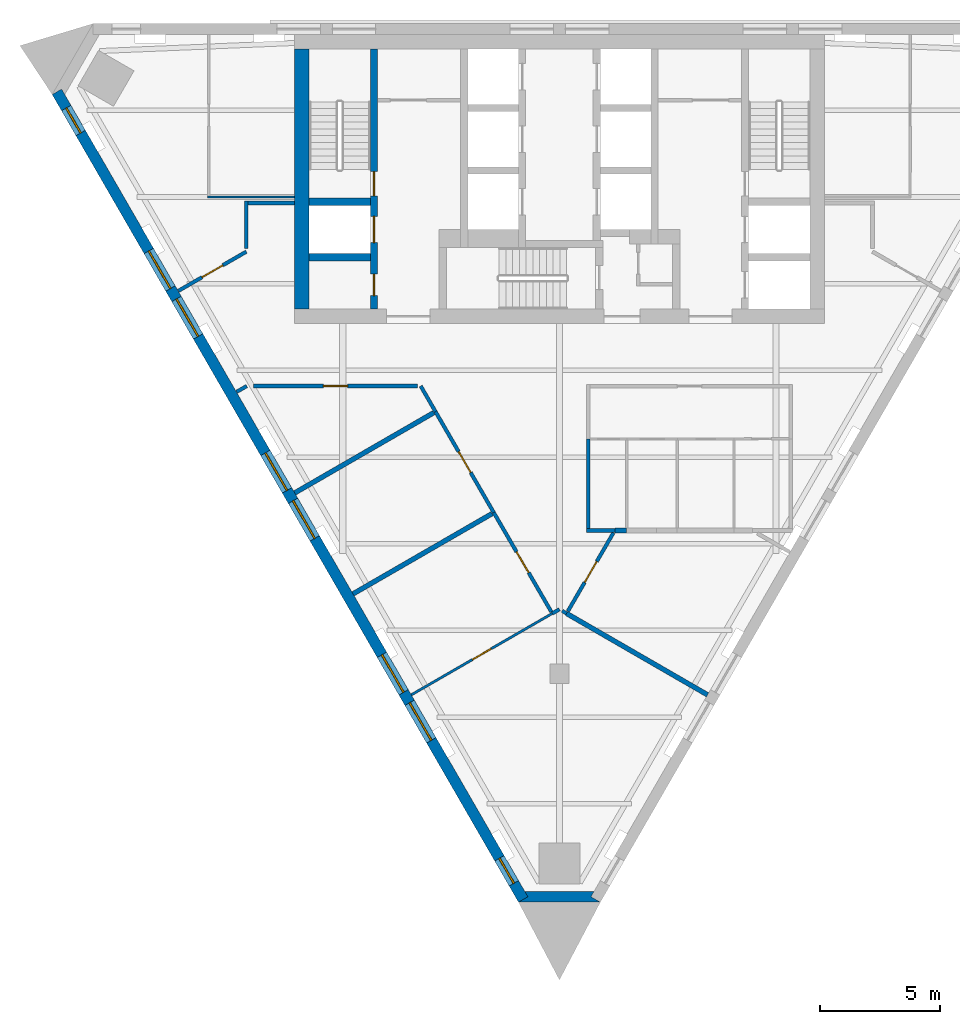
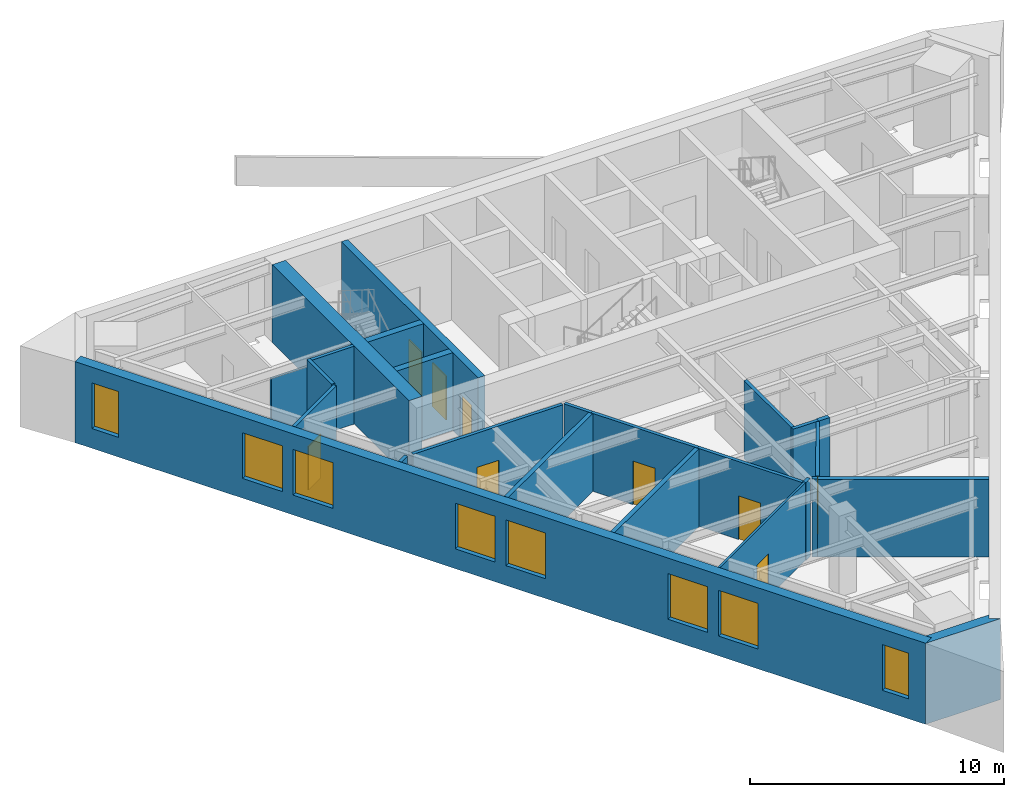
# One storey, part 2 of 6: 25 walls, 9 doors, 8 windows, 17 openings.
"""IFC4 building model written with IfcOpenShell, lengths in metres."""

from ifc_helpers import new_model, si_unit, direction, frame, frame_2d, origin, place, context, subcontext, project, spatial, polyline, rectangle, outline, extrude, material, layer, layer_set, type_object, element, fill, save


model = new_model("IFC4")

# Units and contexts
model_context = context("Model", 3, precision=1e-05, world=origin(), true_north=direction((0.0, 1.0)))
body_context = subcontext(model_context, "Body", "Model", "MODEL_VIEW")
ifc_project = project(units=[si_unit("LENGTHUNIT", "METRE"), si_unit("AREAUNIT", "SQUARE_METRE"), si_unit("VOLUMEUNIT", "CUBIC_METRE"), si_unit("PLANEANGLEUNIT", "RADIAN"), si_unit("MASSUNIT", "GRAM", prefix="KILO")], contexts=[model_context])

# Site, building, storey
site_placement = place(None, origin())
site = spatial("IfcSite", under=ifc_project, at=site_placement, CompositionType="ELEMENT")
building_placement = place(site_placement, origin())
building = spatial("IfcBuilding", under=site, at=building_placement, Name="Aloe Facet Convention Tower", CompositionType="ELEMENT")
storey_placement = place(building_placement, frame((0.0, 0.0, 184.10009765625)))
storey = spatial("IfcBuildingStorey", under=building, at=storey_placement, Name="L46", CompositionType="ELEMENT", Elevation=184.10009765625)

# Walls
ifc_material_1 = material(Name="Concrete C50/60", Category="concrete")
ifc_layer_1 = layer(ifc_material_1, 0.300048828125)
ifc_layer_set_1 = layer_set([ifc_layer_1], Name="CR-W-RC300-C5060")
wall_type_1 = type_object("IfcWallType", Name="CR-W-RC300-C5060", PredefinedType="SOLIDWALL", material=ifc_layer_set_1)
for number, where, z_axis, x_axis, name in (
    (1, (69.60009765625, 127.60009765625, 0.0), (0.0, 0.0, 1.0), (1.0, 0.0, 0.0), "Core wall L46-004"),
    (2, (69.60009765625, 125.300048828125, 0.0), (0.0, 0.0, 1.0), (1.0, 0.0, 0.0), "Core wall L46-005"),
):
    element("IfcWall", number, at=place(storey_placement, frame(where, z_axis=z_axis, x_axis=x_axis)), inside=storey, type_object=wall_type_1, Name=name, PredefinedType="SOLIDWALL", context=body_context, shape_type="SweptSolid", body=[
        extrude(rectangle(XDim=2.5498046875, YDim=0.300048828125, at=frame_2d((1.27490234375, 0.0))), origin(), (0.0, 0.0, 1.0), 3.75),
    ])

# Wall, openings, doors
wall_1_placement = place(storey_placement, frame((72.300048828125, 133.949951171875, 0.0), z_axis=(0.0, 0.0, 1.0), x_axis=(0.0, -1.0, 0.0)))
wall_1 = element("IfcWall", 3, at=wall_1_placement, inside=storey, type_object=wall_type_1, Name="Core wall L46-006", PredefinedType="SOLIDWALL", context=body_context, shape_type="SweptSolid", body=[
    extrude(rectangle(XDim=10.800048828125, YDim=0.300048828125, at=frame_2d((5.39990234375, 0.0))), origin(), (0.0, 0.0, 1.0), 3.75),
])
opening_1_placement = place(wall_1_placement, frame((6.949951171875, 0.0, 0.0)))
opening_1 = element("IfcOpeningElement", 4, at=opening_1_placement, cuts=wall_1, Name="Opening LD-FF1-L46", PredefinedType="OPENING", context=body_context, shape_type="SweptSolid", body=[
    extrude(rectangle(XDim=1.10009765625, YDim=2.10009765625, at=frame_2d((0.550048828125, 1.050048828125))), frame((0.0, 0.16015625, 0.0), z_axis=(0.0, -1.0, 0.0), x_axis=(1.0, 0.0, 0.0)), (0.0, 0.0, 1.0), 0.320068359375),
])
opening_2_placement = place(wall_1_placement, frame((9.35009765625, 0.0, 0.0)))
opening_2 = element("IfcOpeningElement", 5, at=opening_2_placement, cuts=wall_1, Name="Opening L46-CD15", PredefinedType="OPENING", context=body_context, shape_type="SweptSolid", body=[
    extrude(rectangle(XDim=0.89990234375, YDim=2.10009765625, at=frame_2d((0.449951171875, 1.050048828125))), frame((0.0, 0.16015625, 0.0), z_axis=(0.0, -1.0, 0.0), x_axis=(1.0, 0.0, 0.0)), (0.0, 0.0, 1.0), 0.320068359375),
])
opening_3_placement = place(wall_1_placement, frame((5.10009765625, 0.0, 0.0)))
opening_3 = element("IfcOpeningElement", 6, at=opening_3_placement, cuts=wall_1, Name="Opening L46-CD16", PredefinedType="OPENING", context=body_context, shape_type="SweptSolid", body=[
    extrude(rectangle(XDim=1.0, YDim=2.10009765625, at=frame_2d((0.5, 1.050048828125))), frame((0.0, 0.16015625, 0.0), z_axis=(0.0, -1.0, 0.0), x_axis=(1.0, 0.0, 0.0)), (0.0, 0.0, 1.0), 0.320068359375),
])
ifc_material_2 = material(Name="Steel fire-resisting door set FD60", Category="steel")
door_type_1 = type_object("IfcDoorType", Name="CR-D-ROOM-900-FD60-SLEFT", OperationType="SINGLE_SWING_LEFT", PredefinedType="DOOR", material=ifc_material_2)
door_1_placement = place(opening_2_placement, origin())
door_1 = element("IfcDoor", 7, at=door_1_placement, inside=storey, type_object=door_type_1, Name="Core door L46-CD15", OperationType="SINGLE_SWING_LEFT", OverallHeight=2.10009765625, OverallWidth=0.89990234375, PredefinedType="DOOR", context=body_context, shape_type="SweptSolid", body=[
    extrude(rectangle(XDim=0.89990234375, YDim=2.10009765625, at=frame_2d((0.449951171875, 1.050048828125))), frame((0.0, 0.02490234375, 0.0), z_axis=(0.0, -1.0, 0.0), x_axis=(1.0, 0.0, 0.0)), (0.0, 0.0, 1.0), 0.050048828125),
])
fill(opening_2, door_1)
ifc_material_3 = material(Name="Steel fire-resisting door set FD120", Category="steel")
door_type_2 = type_object("IfcDoorType", Name="CR-D-STAIR-1000-FD120-SRIGHT", OperationType="SINGLE_SWING_RIGHT", PredefinedType="DOOR", material=ifc_material_3)
door_2_placement = place(opening_3_placement, origin())
door_2 = element("IfcDoor", 8, at=door_2_placement, inside=storey, type_object=door_type_2, Name="Core door L46-CD16", OperationType="SINGLE_SWING_RIGHT", OverallHeight=2.10009765625, OverallWidth=1.0, PredefinedType="DOOR", context=body_context, shape_type="SweptSolid", body=[
    extrude(rectangle(XDim=1.0, YDim=2.10009765625, at=frame_2d((0.5, 1.050048828125))), frame((0.0, 0.02490234375, 0.0), z_axis=(0.0, -1.0, 0.0), x_axis=(1.0, 0.0, 0.0)), (0.0, 0.0, 1.0), 0.050048828125),
])
fill(opening_3, door_2)
ifc_material_4 = material(Name="Stainless steel sliding landing door", Category="steel")
door_type_3 = type_object("IfcDoorType", Name="CR-LD-1100-FD120-_LEFT", OperationType="SLIDING_TO_LEFT", PredefinedType="DOOR", material=ifc_material_4)
door_3_placement = place(opening_1_placement, origin())
door_3 = element("IfcDoor", 9, at=door_3_placement, inside=storey, type_object=door_type_3, Name="Landing door FF1 L46", OperationType="SLIDING_TO_LEFT", OverallHeight=2.10009765625, OverallWidth=1.10009765625, PredefinedType="DOOR", context=body_context, shape_type="SweptSolid", body=[
    extrude(rectangle(XDim=1.10009765625, YDim=2.10009765625, at=frame_2d((0.550048828125, 1.050048828125))), frame((0.0, 0.02490234375, 0.0), z_axis=(0.0, -1.0, 0.0), x_axis=(1.0, 0.0, 0.0)), (0.0, 0.0, 1.0), 0.050048828125),
])
fill(opening_1, door_3)

# Walls
ifc_material_5 = material(Name="Concrete C50/60", Category="concrete")
ifc_layer_2 = layer(ifc_material_5, 0.60009765625)
ifc_layer_set_2 = layer_set([ifc_layer_2], Name="CR-W-RC600-C5060")
wall_type_2 = type_object("IfcWallType", Name="CR-W-RC600-C5060", PredefinedType="SOLIDWALL", material=ifc_layer_set_2)
wall_2_placement = place(storey_placement, frame((69.300048828125, 133.949951171875, 0.0), z_axis=(0.0, 0.0, 1.0), x_axis=(0.0, -1.0, 0.0)))
element("IfcWall", 10, at=wall_2_placement, inside=storey, type_object=wall_type_2, Name="Core wall L46-002", PredefinedType="SOLIDWALL", context=body_context, shape_type="SweptSolid", body=[
    extrude(rectangle(XDim=10.800048828125, YDim=0.60009765625, at=frame_2d((5.39990234375, 0.0))), origin(), (0.0, 0.0, 1.0), 3.75),
])
ifc_material_6 = material(Name="Precast concrete C40/50", Category="concrete")
ifc_layer_3 = layer(ifc_material_6, 0.449951171875)
ifc_layer_set_3 = layer_set([ifc_layer_3], Name="EV-WALL-PIER")
wall_type_3 = type_object("IfcWallType", Name="EV-WALL-PIER", PredefinedType="SOLIDWALL", material=ifc_layer_set_3)
wall_3_placement = place(storey_placement, frame((0.0, 0.0, -0.150146484375)))
element("IfcWall", 11, at=wall_3_placement, inside=storey, type_object=wall_type_3, Name="EP-L46-B", PredefinedType="SOLIDWALL", context=body_context, shape_type="SweptSolid", body=[
    extrude(outline(polyline([(78.300048828125, 98.514892578125), (78.689697265625, 98.739990234375), (78.559814453125, 98.965087890625), (81.440185546875, 98.965087890625), (81.310302734375, 98.739990234375), (81.699951171875, 98.514892578125), (78.300048828125, 98.514892578125)])), origin(), (0.0, 0.0, 1.0), 3.900146484375),
])

# Wall, openings, windows
ifc_material_7 = material(Name="Precast concrete C40/50", Category="concrete")
ifc_layer_4 = layer(ifc_material_7, 0.449951171875)
ifc_layer_set_4 = layer_set([ifc_layer_4], Name="EV-WALL-STONE")
wall_type_4 = type_object("IfcWallType", Name="EV-WALL-STONE", PredefinedType="SOLIDWALL", material=ifc_layer_set_4)
wall_4_placement = place(storey_placement, frame((59.130126953125, 132.16796875, -0.150146484375), z_axis=(0.0, 0.0, 1.0), x_axis=(0.500002199942, -0.866024133644, 0.0)))
wall_4 = element("IfcWall", 12, at=wall_4_placement, inside=storey, type_object=wall_type_4, Name="EW-L46-W01", PredefinedType="SOLIDWALL", context=body_context, shape_type="SweptSolid", body=[
    extrude(outline(polyline([(38.729248046875, 0.0), (38.729248046875, 3.900146484375), (0.0, 3.900146484375), (0.0, 0.0), (38.729248046875, 0.0)])), frame((0.0, 0.22509765625, 0.0), z_axis=(0.0, -1.0, 0.0), x_axis=(1.0, 0.0, 0.0)), (0.0, 0.0, 1.0), 0.449951171875),
])
opening_4_placement = place(wall_4_placement, frame((0.776123046875, 0.0, 0.949951171875)))
opening_4 = element("IfcOpeningElement", 13, at=opening_4_placement, cuts=wall_4, Name="Opening W-L46-W01", PredefinedType="OPENING", context=body_context, shape_type="SweptSolid", body=[
    extrude(rectangle(XDim=1.199951171875, YDim=2.199951171875, at=frame_2d((0.60009765625, 1.10009765625))), frame((0.0, 0.23486328125, 0.0), z_axis=(0.0, -1.0, 0.0), x_axis=(1.0, 0.0, 0.0)), (0.0, 0.0, 1.0), 0.469970703125),
])
opening_5_placement = place(wall_4_placement, frame((7.63232421875, 0.0, 0.949951171875)))
opening_5 = element("IfcOpeningElement", 14, at=opening_5_placement, cuts=wall_4, Name="Opening W-L46-W02", PredefinedType="OPENING", context=body_context, shape_type="SweptSolid", body=[
    extrude(rectangle(XDim=1.800048828125, YDim=2.199951171875, at=frame_2d((0.89990234375, 1.10009765625))), frame((0.0, 0.23486328125, 0.0), z_axis=(0.0, -1.0, 0.0), x_axis=(1.0, 0.0, 0.0)), (0.0, 0.0, 1.0), 0.469970703125),
])
opening_6_placement = place(wall_4_placement, frame((9.932373046875, 0.0, 0.949951171875)))
opening_6 = element("IfcOpeningElement", 15, at=opening_6_placement, cuts=wall_4, Name="Opening W-L46-W03", PredefinedType="OPENING", context=body_context, shape_type="SweptSolid", body=[
    extrude(rectangle(XDim=1.800048828125, YDim=2.199951171875, at=frame_2d((0.89990234375, 1.10009765625))), frame((0.0, 0.23486328125, 0.0), z_axis=(0.0, -1.0, 0.0), x_axis=(1.0, 0.0, 0.0)), (0.0, 0.0, 1.0), 0.469970703125),
])
opening_7_placement = place(wall_4_placement, frame((17.314697265625, 0.0, 0.949951171875)))
opening_7 = element("IfcOpeningElement", 16, at=opening_7_placement, cuts=wall_4, Name="Opening W-L46-W04", PredefinedType="OPENING", context=body_context, shape_type="SweptSolid", body=[
    extrude(rectangle(XDim=1.800048828125, YDim=2.199951171875, at=frame_2d((0.89990234375, 1.10009765625))), frame((0.0, 0.23486328125, 0.0), z_axis=(0.0, -1.0, 0.0), x_axis=(1.0, 0.0, 0.0)), (0.0, 0.0, 1.0), 0.469970703125),
])
opening_8_placement = place(wall_4_placement, frame((19.614501953125, 0.0, 0.949951171875)))
opening_8 = element("IfcOpeningElement", 17, at=opening_8_placement, cuts=wall_4, Name="Opening W-L46-W05", PredefinedType="OPENING", context=body_context, shape_type="SweptSolid", body=[
    extrude(rectangle(XDim=1.800048828125, YDim=2.199951171875, at=frame_2d((0.89990234375, 1.10009765625))), frame((0.0, 0.23486328125, 0.0), z_axis=(0.0, -1.0, 0.0), x_axis=(1.0, 0.0, 0.0)), (0.0, 0.0, 1.0), 0.469970703125),
])
opening_9_placement = place(wall_4_placement, frame((26.996826171875, 0.0, 0.949951171875)))
opening_9 = element("IfcOpeningElement", 18, at=opening_9_placement, cuts=wall_4, Name="Opening W-L46-W06", PredefinedType="OPENING", context=body_context, shape_type="SweptSolid", body=[
    extrude(rectangle(XDim=1.800048828125, YDim=2.199951171875, at=frame_2d((0.89990234375, 1.10009765625))), frame((0.0, 0.23486328125, 0.0), z_axis=(0.0, -1.0, 0.0), x_axis=(1.0, 0.0, 0.0)), (0.0, 0.0, 1.0), 0.469970703125),
])
opening_10_placement = place(wall_4_placement, frame((29.296875, 0.0, 0.949951171875)))
opening_10 = element("IfcOpeningElement", 19, at=opening_10_placement, cuts=wall_4, Name="Opening W-L46-W07", PredefinedType="OPENING", context=body_context, shape_type="SweptSolid", body=[
    extrude(rectangle(XDim=1.800048828125, YDim=2.199951171875, at=frame_2d((0.89990234375, 1.10009765625))), frame((0.0, 0.23486328125, 0.0), z_axis=(0.0, -1.0, 0.0), x_axis=(1.0, 0.0, 0.0)), (0.0, 0.0, 1.0), 0.469970703125),
])
opening_11_placement = place(wall_4_placement, frame((36.753173828125, 0.0, 0.949951171875)))
opening_11 = element("IfcOpeningElement", 20, at=opening_11_placement, cuts=wall_4, Name="Opening W-L46-W08", PredefinedType="OPENING", context=body_context, shape_type="SweptSolid", body=[
    extrude(rectangle(XDim=1.199951171875, YDim=2.199951171875, at=frame_2d((0.60009765625, 1.10009765625))), frame((0.0, 0.23486328125, 0.0), z_axis=(0.0, -1.0, 0.0), x_axis=(1.0, 0.0, 0.0)), (0.0, 0.0, 1.0), 0.469970703125),
])
ifc_material_8 = material(Name="Aluminium frame, clear double glazing", Category="aluminium")
window_type_1 = type_object("IfcWindowType", Name="EV-WIN-O12", PartitioningType="SINGLE_PANEL", PredefinedType="WINDOW", material=ifc_material_8)
window_1_placement = place(opening_4_placement, origin())
window_1 = element("IfcWindow", 21, at=window_1_placement, inside=storey, type_object=window_type_1, Name="W-L46-W01", OverallHeight=2.199951171875, OverallWidth=1.199951171875, PartitioningType="SINGLE_PANEL", PredefinedType="WINDOW", context=body_context, shape_type="SweptSolid", body=[
    extrude(rectangle(XDim=1.199951171875, YDim=2.199951171875, at=frame_2d((0.60009765625, 1.10009765625))), frame((0.0, 0.030029296875, 0.0), z_axis=(0.0, -1.0, 0.0), x_axis=(1.0, 0.0, 0.0)), (0.0, 0.0, 1.0), 0.06005859375),
])
fill(opening_4, window_1)
window_2_placement = place(opening_11_placement, origin())
window_2 = element("IfcWindow", 22, at=window_2_placement, inside=storey, type_object=window_type_1, Name="W-L46-W08", OverallHeight=2.199951171875, OverallWidth=1.199951171875, PartitioningType="SINGLE_PANEL", PredefinedType="WINDOW", context=body_context, shape_type="SweptSolid", body=[
    extrude(rectangle(XDim=1.199951171875, YDim=2.199951171875, at=frame_2d((0.60009765625, 1.10009765625))), frame((0.0, 0.030029296875, 0.0), z_axis=(0.0, -1.0, 0.0), x_axis=(1.0, 0.0, 0.0)), (0.0, 0.0, 1.0), 0.06005859375),
])
fill(opening_11, window_2)
ifc_material_9 = material(Name="Aluminium frame, clear double glazing", Category="aluminium")
window_type_2 = type_object("IfcWindowType", Name="EV-WIN-O18", PartitioningType="SINGLE_PANEL", PredefinedType="WINDOW", material=ifc_material_9)
window_3_placement = place(opening_5_placement, origin())
window_3 = element("IfcWindow", 23, at=window_3_placement, inside=storey, type_object=window_type_2, Name="W-L46-W02", OverallHeight=2.199951171875, OverallWidth=1.800048828125, PartitioningType="SINGLE_PANEL", PredefinedType="WINDOW", context=body_context, shape_type="SweptSolid", body=[
    extrude(rectangle(XDim=1.800048828125, YDim=2.199951171875, at=frame_2d((0.89990234375, 1.10009765625))), frame((0.0, 0.030029296875, 0.0), z_axis=(0.0, -1.0, 0.0), x_axis=(1.0, 0.0, 0.0)), (0.0, 0.0, 1.0), 0.06005859375),
])
fill(opening_5, window_3)
window_4_placement = place(opening_6_placement, origin())
window_4 = element("IfcWindow", 24, at=window_4_placement, inside=storey, type_object=window_type_2, Name="W-L46-W03", OverallHeight=2.199951171875, OverallWidth=1.800048828125, PartitioningType="SINGLE_PANEL", PredefinedType="WINDOW", context=body_context, shape_type="SweptSolid", body=[
    extrude(rectangle(XDim=1.800048828125, YDim=2.199951171875, at=frame_2d((0.89990234375, 1.10009765625))), frame((0.0, 0.030029296875, 0.0), z_axis=(0.0, -1.0, 0.0), x_axis=(1.0, 0.0, 0.0)), (0.0, 0.0, 1.0), 0.06005859375),
])
fill(opening_6, window_4)
window_5_placement = place(opening_7_placement, origin())
window_5 = element("IfcWindow", 25, at=window_5_placement, inside=storey, type_object=window_type_2, Name="W-L46-W04", OverallHeight=2.199951171875, OverallWidth=1.800048828125, PartitioningType="SINGLE_PANEL", PredefinedType="WINDOW", context=body_context, shape_type="SweptSolid", body=[
    extrude(rectangle(XDim=1.800048828125, YDim=2.199951171875, at=frame_2d((0.89990234375, 1.10009765625))), frame((0.0, 0.030029296875, 0.0), z_axis=(0.0, -1.0, 0.0), x_axis=(1.0, 0.0, 0.0)), (0.0, 0.0, 1.0), 0.06005859375),
])
fill(opening_7, window_5)
window_6_placement = place(opening_8_placement, origin())
window_6 = element("IfcWindow", 26, at=window_6_placement, inside=storey, type_object=window_type_2, Name="W-L46-W05", OverallHeight=2.199951171875, OverallWidth=1.800048828125, PartitioningType="SINGLE_PANEL", PredefinedType="WINDOW", context=body_context, shape_type="SweptSolid", body=[
    extrude(rectangle(XDim=1.800048828125, YDim=2.199951171875, at=frame_2d((0.89990234375, 1.10009765625))), frame((0.0, 0.030029296875, 0.0), z_axis=(0.0, -1.0, 0.0), x_axis=(1.0, 0.0, 0.0)), (0.0, 0.0, 1.0), 0.06005859375),
])
fill(opening_8, window_6)
window_7_placement = place(opening_9_placement, origin())
window_7 = element("IfcWindow", 27, at=window_7_placement, inside=storey, type_object=window_type_2, Name="W-L46-W06", OverallHeight=2.199951171875, OverallWidth=1.800048828125, PartitioningType="SINGLE_PANEL", PredefinedType="WINDOW", context=body_context, shape_type="SweptSolid", body=[
    extrude(rectangle(XDim=1.800048828125, YDim=2.199951171875, at=frame_2d((0.89990234375, 1.10009765625))), frame((0.0, 0.030029296875, 0.0), z_axis=(0.0, -1.0, 0.0), x_axis=(1.0, 0.0, 0.0)), (0.0, 0.0, 1.0), 0.06005859375),
])
fill(opening_9, window_7)
window_8_placement = place(opening_10_placement, origin())
window_8 = element("IfcWindow", 28, at=window_8_placement, inside=storey, type_object=window_type_2, Name="W-L46-W07", OverallHeight=2.199951171875, OverallWidth=1.800048828125, PartitioningType="SINGLE_PANEL", PredefinedType="WINDOW", context=body_context, shape_type="SweptSolid", body=[
    extrude(rectangle(XDim=1.800048828125, YDim=2.199951171875, at=frame_2d((0.89990234375, 1.10009765625))), frame((0.0, 0.030029296875, 0.0), z_axis=(0.0, -1.0, 0.0), x_axis=(1.0, 0.0, 0.0)), (0.0, 0.0, 1.0), 0.06005859375),
])
fill(opening_10, window_8)

# Wall
ifc_material_10 = material(Name="Gypsum board partition on steel studs", Category="steel")
ifc_layer_5 = layer(ifc_material_10, 0.14990234375)
ifc_layer_set_5 = layer_set([ifc_layer_5], Name="IN-W-CORR")
wall_type_5 = type_object("IfcWallType", Name="IN-W-CORR", PredefinedType="PARTITIONING", material=ifc_layer_set_5)
wall_5_placement = place(storey_placement, frame((79.702880859375, 110.505126953125, 0.0), z_axis=(0.0, 0.0, 1.0), x_axis=(0.865913012852, 0.500194616298, 0.0)))
element("IfcWall", 29, at=wall_5_placement, inside=storey, type_object=wall_type_5, Name="Partition L46-W002", PredefinedType="PARTITIONING", context=body_context, shape_type="SweptSolid", body=[
    extrude(rectangle(XDim=0.343017578125, YDim=0.14990234375, at=frame_2d((0.17138671875, 0.0))), origin(), (0.0, 0.0, 1.0), 3.75),
])

# Wall, opening, door
wall_6_placement = place(storey_placement, frame((77.273681640625, 114.692626953125, 0.0), z_axis=(0.0, 0.0, 1.0), x_axis=(0.501799348286, -0.864984054223, 0.0)))
wall_6 = element("IfcWall", 30, at=wall_6_placement, inside=storey, type_object=wall_type_5, Name="Partition L46-W003", PredefinedType="PARTITIONING", context=body_context, shape_type="SweptSolid", body=[
    extrude(rectangle(XDim=4.76611328125, YDim=0.14990234375, at=frame_2d((2.383056640625, 0.0))), origin(), (0.0, 0.0, 1.0), 3.75),
])
opening_12_placement = place(wall_6_placement, frame((1.883056640625, 0.0, 0.0)))
opening_12 = element("IfcOpeningElement", 31, at=opening_12_placement, cuts=wall_6, Name="Opening L46-011", PredefinedType="OPENING", context=body_context, shape_type="SweptSolid", body=[
    extrude(rectangle(XDim=1.0, YDim=2.10009765625, at=frame_2d((0.5, 1.050048828125))), frame((0.0, 0.0849609375, 0.0), z_axis=(0.0, -1.0, 0.0), x_axis=(1.0, 0.0, 0.0)), (0.0, 0.0, 1.0), 0.169921875),
])
ifc_material_11 = material(Name="Timber door FD30S with vision panel", Category="wood")
door_type_4 = type_object("IfcDoorType", Name="IN-OFF-D-ENTRY", OperationType="SINGLE_SWING_LEFT", PredefinedType="DOOR", material=ifc_material_11)
door_4_placement = place(opening_12_placement, origin())
door_4 = element("IfcDoor", 32, at=door_4_placement, inside=storey, type_object=door_type_4, Name="Door L46-011", OperationType="SINGLE_SWING_LEFT", OverallHeight=2.10009765625, OverallWidth=1.0, PredefinedType="DOOR", context=body_context, shape_type="SweptSolid", body=[
    extrude(rectangle(XDim=1.0, YDim=2.10009765625, at=frame_2d((0.5, 1.050048828125))), frame((0.0, 0.02490234375, 0.0), z_axis=(0.0, -1.0, 0.0), x_axis=(1.0, 0.0, 0.0)), (0.0, 0.0, 1.0), 0.050048828125),
])
fill(opening_12, door_4)

# Walls
wall_7_placement = place(storey_placement, frame((80.112548828125, 110.61181640625, 0.0), z_axis=(0.0, 0.0, 1.0), x_axis=(0.865765842911, -0.500449303376, 0.0)))
element("IfcWall", 33, at=wall_7_placement, inside=storey, type_object=wall_type_5, Name="Partition L46-W005", PredefinedType="PARTITIONING", context=body_context, shape_type="SweptSolid", body=[
    extrude(rectangle(XDim=0.213134765625, YDim=0.14990234375, at=frame_2d((0.1064453125, 0.0))), origin(), (0.0, 0.0, 1.0), 3.75),
])
wall_8_placement = place(storey_placement, frame((81.126953125, 113.949951171875, 0.0), z_axis=(0.0, 0.0, 1.0), x_axis=(1.0, 0.0, 0.0)))
element("IfcWall", 34, at=wall_8_placement, inside=storey, type_object=wall_type_5, Name="Partition L46-W011", PredefinedType="PARTITIONING", context=body_context, shape_type="SweptSolid", body=[
    extrude(rectangle(XDim=1.17041015625, YDim=0.14990234375, at=frame_2d((0.585205078125, 0.0))), origin(), (0.0, 0.0, 1.0), 3.75),
])

# Wall, opening, door
wall_9_placement = place(storey_placement, frame((80.352294921875, 110.600341796875, 0.0), z_axis=(0.0, 0.0, 1.0), x_axis=(0.502155861577, 0.864777133534, 0.0)))
wall_9 = element("IfcWall", 35, at=wall_9_placement, inside=storey, type_object=wall_type_5, Name="Partition L46-W012", PredefinedType="PARTITIONING", context=body_context, shape_type="SweptSolid", body=[
    extrude(rectangle(XDim=3.763671875, YDim=0.14990234375, at=frame_2d((1.8818359375, 0.0))), origin(), (0.0, 0.0, 1.0), 3.75),
])
opening_13_placement = place(wall_9_placement, frame((1.3818359375, 0.0, 0.0)))
opening_13 = element("IfcOpeningElement", 36, at=opening_13_placement, cuts=wall_9, Name="Opening L46-012", PredefinedType="OPENING", context=body_context, shape_type="SweptSolid", body=[
    extrude(rectangle(XDim=1.0, YDim=2.10009765625, at=frame_2d((0.5, 1.050048828125))), frame((0.0, 0.0849609375, 0.0), z_axis=(0.0, -1.0, 0.0), x_axis=(1.0, 0.0, 0.0)), (0.0, 0.0, 1.0), 0.169921875),
])
door_5_placement = place(opening_13_placement, origin())
door_5 = element("IfcDoor", 37, at=door_5_placement, inside=storey, type_object=door_type_4, Name="Door L46-012", OperationType="SINGLE_SWING_LEFT", OverallHeight=2.10009765625, OverallWidth=1.0, PredefinedType="DOOR", context=body_context, shape_type="SweptSolid", body=[
    extrude(rectangle(XDim=1.0, YDim=2.10009765625, at=frame_2d((0.5, 1.050048828125))), frame((0.0, 0.02490234375, 0.0), z_axis=(0.0, -1.0, 0.0), x_axis=(1.0, 0.0, 0.0)), (0.0, 0.0, 1.0), 0.050048828125),
])
fill(opening_13, door_5)

wall_10_placement = place(storey_placement, frame((74.85302734375, 118.88525390625, 0.0), z_axis=(0.0, 0.0, 1.0), x_axis=(0.500006196252, -0.866021826347, 0.0)))
wall_10 = element("IfcWall", 38, at=wall_10_placement, inside=storey, type_object=wall_type_5, Name="Partition L46-W017", PredefinedType="PARTITIONING", context=body_context, shape_type="SweptSolid", body=[
    extrude(rectangle(XDim=4.84130859375, YDim=0.14990234375, at=frame_2d((2.420654296875, 0.0))), origin(), (0.0, 0.0, 1.0), 3.75),
])
opening_14_placement = place(wall_10_placement, frame((1.920654296875, 0.0, 0.0)))
opening_14 = element("IfcOpeningElement", 39, at=opening_14_placement, cuts=wall_10, Name="Opening L46-010", PredefinedType="OPENING", context=body_context, shape_type="SweptSolid", body=[
    extrude(rectangle(XDim=1.0, YDim=2.10009765625, at=frame_2d((0.5, 1.050048828125))), frame((0.0, 0.0849609375, 0.0), z_axis=(0.0, -1.0, 0.0), x_axis=(1.0, 0.0, 0.0)), (0.0, 0.0, 1.0), 0.169921875),
])
door_6_placement = place(opening_14_placement, origin())
door_6 = element("IfcDoor", 40, at=door_6_placement, inside=storey, type_object=door_type_4, Name="Door L46-010", OperationType="SINGLE_SWING_LEFT", OverallHeight=2.10009765625, OverallWidth=1.0, PredefinedType="DOOR", context=body_context, shape_type="SweptSolid", body=[
    extrude(rectangle(XDim=1.0, YDim=2.10009765625, at=frame_2d((0.5, 1.050048828125))), frame((0.0, 0.02490234375, 0.0), z_axis=(0.0, -1.0, 0.0), x_axis=(1.0, 0.0, 0.0)), (0.0, 0.0, 1.0), 0.050048828125),
])
fill(opening_14, door_6)

# Walls
wall_11_placement = place(storey_placement, frame((81.201904296875, 114.02490234375, 0.0), z_axis=(0.0, 0.0, 1.0), x_axis=(-0.000524315041, 0.999999862547, 0.0)))
element("IfcWall", 41, at=wall_11_placement, inside=storey, type_object=wall_type_5, Name="Partition L46-W027", PredefinedType="PARTITIONING", context=body_context, shape_type="SweptSolid", body=[
    extrude(rectangle(XDim=3.72509765625, YDim=0.14990234375, at=frame_2d((1.862548828125, 0.0))), origin(), (0.0, 0.0, 1.0), 3.75),
])
wall_12_placement = place(storey_placement, frame((74.239013671875, 119.948974609375, 0.0), z_axis=(0.0, 0.0, 1.0), x_axis=(0.499923202248, -0.866069738447, 0.0)))
element("IfcWall", 42, at=wall_12_placement, inside=storey, type_object=wall_type_5, Name="Partition L46-W028", PredefinedType="PARTITIONING", context=body_context, shape_type="SweptSolid", body=[
    extrude(rectangle(XDim=1.228271484375, YDim=0.14990234375, at=frame_2d((0.6142578125, 0.0))), origin(), (0.0, 0.0, 1.0), 3.75),
])
wall_13_placement = place(storey_placement, frame((66.595458984375, 119.707763671875, 0.0), z_axis=(0.0, 0.0, 1.0), x_axis=(0.865967067452, 0.500101027882, 0.0)))
element("IfcWall", 43, at=wall_13_placement, inside=storey, type_object=wall_type_5, Name="Partition L46-W030", PredefinedType="PARTITIONING", context=body_context, shape_type="SweptSolid", body=[
    extrude(rectangle(XDim=0.48388671875, YDim=0.14990234375, at=frame_2d((0.241943359375, 0.0))), origin(), (0.0, 0.0, 1.0), 3.75),
])

# Wall, opening, door
wall_14_placement = place(storey_placement, frame((67.294189453125, 119.94970703125, 0.0), z_axis=(0.0, 0.0, 1.0), x_axis=(0.999999994225, -0.000107472952, 0.0)))
wall_14 = element("IfcWall", 44, at=wall_14_placement, inside=storey, type_object=wall_type_5, Name="Partition L46-W031", PredefinedType="PARTITIONING", context=body_context, shape_type="SweptSolid", body=[
    extrude(rectangle(XDim=6.81494140625, YDim=0.14990234375, at=frame_2d((3.407470703125, 0.0))), origin(), (0.0, 0.0, 1.0), 3.75),
])
opening_15_placement = place(wall_14_placement, frame((2.907470703125, 0.0, 0.0)))
opening_15 = element("IfcOpeningElement", 45, at=opening_15_placement, cuts=wall_14, Name="Opening L46-009", PredefinedType="OPENING", context=body_context, shape_type="SweptSolid", body=[
    extrude(rectangle(XDim=1.0, YDim=2.10009765625, at=frame_2d((0.5, 1.050048828125))), frame((0.0, 0.0849609375, 0.0), z_axis=(0.0, -1.0, 0.0), x_axis=(1.0, 0.0, 0.0)), (0.0, 0.0, 1.0), 0.169921875),
])
door_7_placement = place(opening_15_placement, origin())
door_7 = element("IfcDoor", 46, at=door_7_placement, inside=storey, type_object=door_type_4, Name="Door L46-009", OperationType="SINGLE_SWING_LEFT", OverallHeight=2.10009765625, OverallWidth=1.0, PredefinedType="DOOR", context=body_context, shape_type="SweptSolid", body=[
    extrude(rectangle(XDim=1.0, YDim=2.10009765625, at=frame_2d((0.5, 1.050048828125))), frame((0.0, 0.02490234375, 0.0), z_axis=(0.0, -1.0, 0.0), x_axis=(1.0, 0.0, 0.0)), (0.0, 0.0, 1.0), 0.050048828125),
])
fill(opening_15, door_7)

wall_15_placement = place(storey_placement, frame((64.175048828125, 123.900390625, 0.0), z_axis=(0.0, 0.0, 1.0), x_axis=(0.866032230194, 0.499988176125, 0.0)))
wall_15 = element("IfcWall", 47, at=wall_15_placement, inside=storey, type_object=wall_type_5, Name="Partition L46-W033", PredefinedType="PARTITIONING", context=body_context, shape_type="SweptSolid", body=[
    extrude(rectangle(XDim=3.2607421875, YDim=0.14990234375, at=frame_2d((1.63037109375, 0.0))), origin(), (0.0, 0.0, 1.0), 3.75),
])
opening_16_placement = place(wall_15_placement, frame((1.13037109375, 0.0, 0.0)))
opening_16 = element("IfcOpeningElement", 48, at=opening_16_placement, cuts=wall_15, Name="Opening L46-008", PredefinedType="OPENING", context=body_context, shape_type="SweptSolid", body=[
    extrude(rectangle(XDim=1.0, YDim=2.10009765625, at=frame_2d((0.5, 1.050048828125))), frame((0.0, 0.0849609375, 0.0), z_axis=(0.0, -1.0, 0.0), x_axis=(1.0, 0.0, 0.0)), (0.0, 0.0, 1.0), 0.169921875),
])
door_8_placement = place(opening_16_placement, origin())
door_8 = element("IfcDoor", 49, at=door_8_placement, inside=storey, type_object=door_type_4, Name="Door L46-008", OperationType="SINGLE_SWING_LEFT", OverallHeight=2.10009765625, OverallWidth=1.0, PredefinedType="DOOR", context=body_context, shape_type="SweptSolid", body=[
    extrude(rectangle(XDim=1.0, YDim=2.10009765625, at=frame_2d((0.5, 1.050048828125))), frame((0.0, 0.02490234375, 0.0), z_axis=(0.0, -1.0, 0.0), x_axis=(1.0, 0.0, 0.0)), (0.0, 0.0, 1.0), 0.050048828125),
])
fill(opening_16, door_8)

# Walls
wall_16_placement = place(storey_placement, frame((66.9990234375, 125.660888671875, 0.0), z_axis=(0.0, 0.0, 1.0), x_axis=(0.00049720317, 0.999999876394, 0.0)))
element("IfcWall", 50, at=wall_16_placement, inside=storey, type_object=wall_type_5, Name="Partition L46-W035", PredefinedType="PARTITIONING", context=body_context, shape_type="SweptSolid", body=[
    extrude(rectangle(XDim=1.964111328125, YDim=0.14990234375, at=frame_2d((0.98193359375, 0.0))), origin(), (0.0, 0.0, 1.0), 3.75),
])
wall_17_placement = place(storey_placement, frame((67.074951171875, 127.550048828125, 0.0), z_axis=(0.0, 0.0, 1.0), x_axis=(1.0, 0.0, 0.0)))
element("IfcWall", 51, at=wall_17_placement, inside=storey, type_object=wall_type_5, Name="Partition L46-W036", PredefinedType="PARTITIONING", context=body_context, shape_type="SweptSolid", body=[
    extrude(rectangle(XDim=1.925048828125, YDim=0.14990234375, at=frame_2d((0.96240234375, 0.0))), origin(), (0.0, 0.0, 1.0), 3.75),
])

# Wall, opening, door
ifc_material_12 = material(Name="Gypsum board partition on steel studs", Category="steel")
ifc_layer_6 = layer(ifc_material_12, 0.10009765625)
ifc_layer_set_6 = layer_set([ifc_layer_6], Name="IN-W-PART")
wall_type_6 = type_object("IfcWallType", Name="IN-W-PART", PredefinedType="PARTITIONING", material=ifc_layer_set_6)
wall_18_placement = place(storey_placement, frame((73.8486328125, 107.125244140625, 0.0), z_axis=(0.0, 0.0, 1.0), x_axis=(0.866029815523, 0.499992358568, 0.0)))
wall_18 = element("IfcWall", 52, at=wall_18_placement, inside=storey, type_object=wall_type_6, Name="Partition L46-W001", PredefinedType="PARTITIONING", context=body_context, shape_type="SweptSolid", body=[
    extrude(rectangle(XDim=6.759765625, YDim=0.10009765625, at=frame_2d((3.3798828125, 0.0))), origin(), (0.0, 0.0, 1.0), 3.75),
])
opening_17_placement = place(wall_18_placement, frame((2.929931640625, 0.0, 0.0)))
opening_17 = element("IfcOpeningElement", 53, at=opening_17_placement, cuts=wall_18, Name="Opening L46-014", PredefinedType="OPENING", context=body_context, shape_type="SweptSolid", body=[
    extrude(rectangle(XDim=0.89990234375, YDim=2.10009765625, at=frame_2d((0.449951171875, 1.050048828125))), frame((0.0, 0.06005859375, 0.0), z_axis=(0.0, -1.0, 0.0), x_axis=(1.0, 0.0, 0.0)), (0.0, 0.0, 1.0), 0.1201171875),
])
ifc_material_13 = material(Name="Timber door", Category="wood")
door_type_5 = type_object("IfcDoorType", Name="IN-OFF-D-ROOM", OperationType="SINGLE_SWING_LEFT", PredefinedType="DOOR", material=ifc_material_13)
door_9_placement = place(opening_17_placement, origin())
door_9 = element("IfcDoor", 54, at=door_9_placement, inside=storey, type_object=door_type_5, Name="Door L46-014", OperationType="SINGLE_SWING_LEFT", OverallHeight=2.10009765625, OverallWidth=0.89990234375, PredefinedType="DOOR", context=body_context, shape_type="SweptSolid", body=[
    extrude(rectangle(XDim=0.89990234375, YDim=2.10009765625, at=frame_2d((0.449951171875, 1.050048828125))), frame((0.0, 0.02490234375, 0.0), z_axis=(0.0, -1.0, 0.0), x_axis=(1.0, 0.0, 0.0)), (0.0, 0.0, 1.0), 0.050048828125),
])
fill(opening_17, door_9)

# Walls
wall_19_placement = place(storey_placement, frame((65.3916015625, 127.800048828125, 0.0), z_axis=(0.0, 0.0, 1.0), x_axis=(1.0, 0.0, 0.0)))
element("IfcWall", 55, at=wall_19_placement, inside=storey, type_object=wall_type_6, Name="Partition L46-W039", PredefinedType="PARTITIONING", context=body_context, shape_type="SweptSolid", body=[
    extrude(rectangle(XDim=3.6083984375, YDim=0.10009765625, at=frame_2d((1.80419921875, 0.0))), origin(), (0.0, 0.0, 1.0), 3.27978515625),
])
ifc_material_14 = material(Name="Gypsum board partition on steel studs", Category="steel")
ifc_layer_7 = layer(ifc_material_14, 0.199951171875)
ifc_layer_set_7 = layer_set([ifc_layer_7], Name="IN-W-PARTY")
wall_type_7 = type_object("IfcWallType", Name="IN-W-PARTY", PredefinedType="PARTITIONING", material=ifc_layer_set_7)
wall_20_placement = place(storey_placement, frame((80.297119140625, 110.505126953125, 0.0), z_axis=(0.0, 0.0, 1.0), x_axis=(0.866029815523, -0.499992358568, 0.0)))
element("IfcWall", 56, at=wall_20_placement, inside=storey, type_object=wall_type_7, Name="Partition L46-W004", PredefinedType="PARTITIONING", context=body_context, shape_type="SweptSolid", body=[
    extrude(rectangle(XDim=6.759765625, YDim=0.199951171875, at=frame_2d((3.3798828125, 0.0))), origin(), (0.0, 0.0, 1.0), 3.75),
])
wall_21_placement = place(storey_placement, frame((71.427978515625, 111.317626953125, 0.0), z_axis=(0.0, 0.0, 1.0), x_axis=(0.866020884234, 0.500007828009, 0.0)))
element("IfcWall", 57, at=wall_21_placement, inside=storey, type_object=wall_type_7, Name="Partition L46-W006", PredefinedType="PARTITIONING", context=body_context, shape_type="SweptSolid", body=[
    extrude(rectangle(XDim=6.6650390625, YDim=0.199951171875, at=frame_2d((3.33251953125, 0.0))), origin(), (0.0, 0.0, 1.0), 3.75),
])
wall_22_placement = place(storey_placement, frame((82.29736328125, 113.949951171875, 0.0), z_axis=(0.0, 0.0, 1.0), x_axis=(1.0, 0.0, 0.0)))
element("IfcWall", 58, at=wall_22_placement, inside=storey, type_object=wall_type_7, Name="Partition L46-W013", PredefinedType="PARTITIONING", context=body_context, shape_type="SweptSolid", body=[
    extrude(rectangle(XDim=0.488525390625, YDim=0.199951171875, at=frame_2d((0.244140625, 0.0))), origin(), (0.0, 0.0, 1.0), 3.75),
])
wall_23_placement = place(storey_placement, frame((69.00732421875, 115.51025390625, 0.0), z_axis=(0.0, 0.0, 1.0), x_axis=(0.866030041738, 0.499991966744, 0.0)))
element("IfcWall", 59, at=wall_23_placement, inside=storey, type_object=wall_type_7, Name="Partition L46-W018", PredefinedType="PARTITIONING", context=body_context, shape_type="SweptSolid", body=[
    extrude(rectangle(XDim=6.6650390625, YDim=0.199951171875, at=frame_2d((3.33251953125, 0.0))), origin(), (0.0, 0.0, 1.0), 3.75),
])

save(model, "model.ifc")
